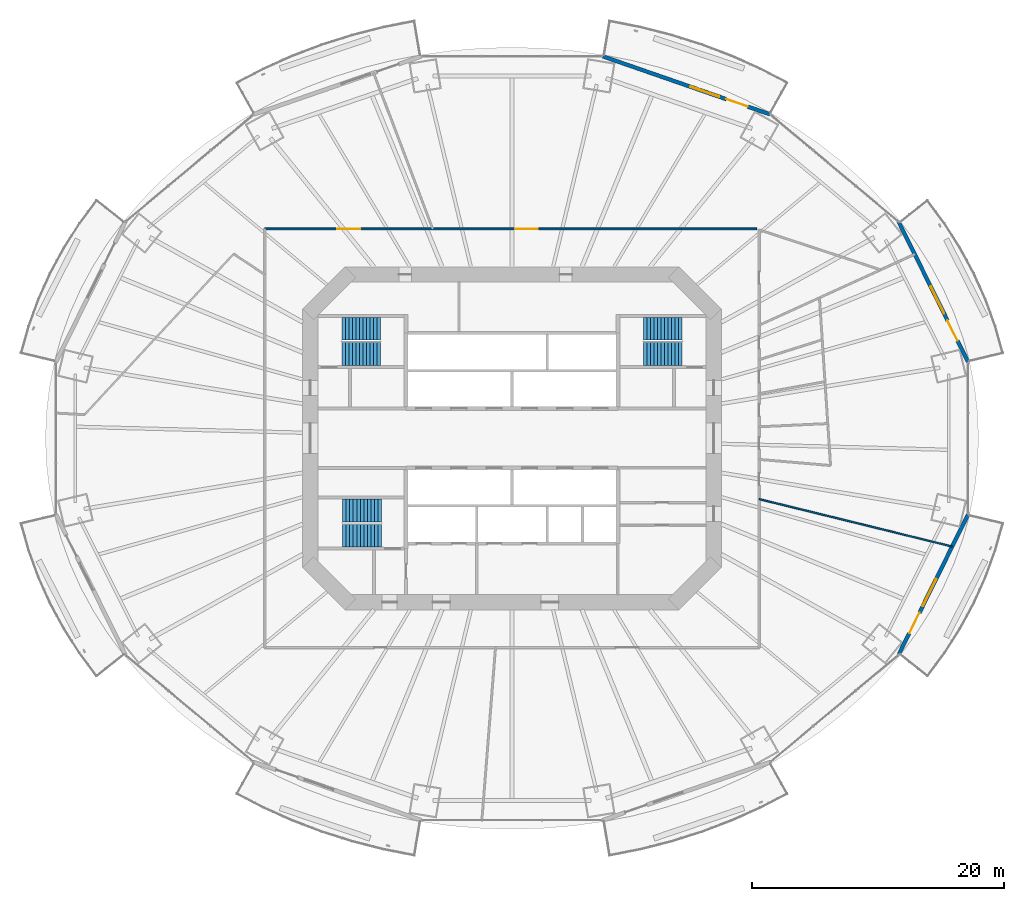
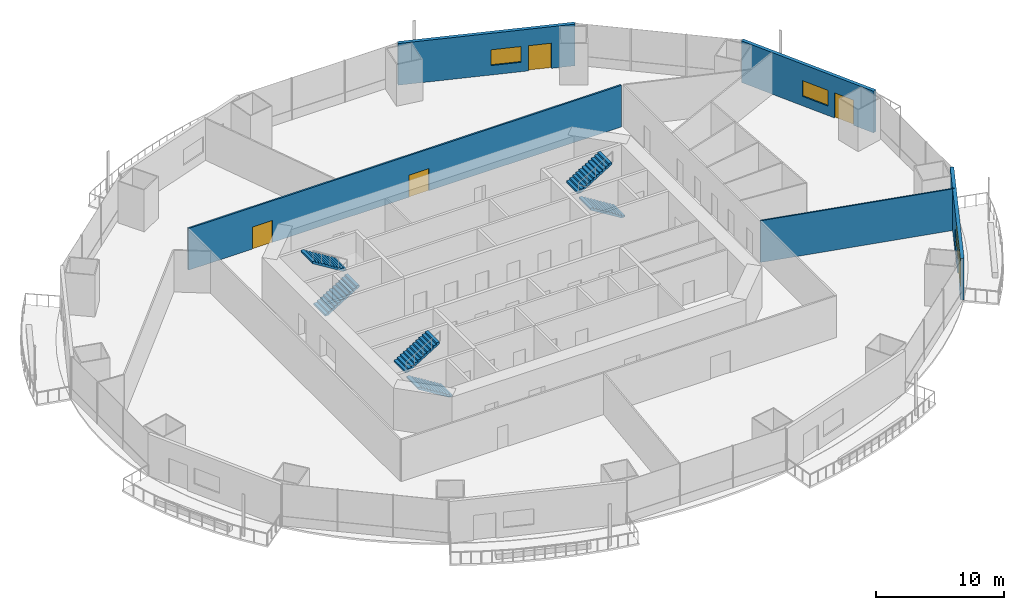
# One storey, part 17 of 23: 6 stair flights, 5 doors, 5 walls, 3 windows, 8 openings, 3 elements without a shape of their own.
"""IFC4 building model written with IfcOpenShell, lengths in metres."""

from ifc_helpers import new_model, si_unit, direction, frame, frame_2d, origin, place, context, subcontext, project, spatial, polyline, rectangle, outline, extrude, material, layer, layer_set, type_object, element, fill, aggregate, save


model = new_model("IFC4")

# Units and contexts
model_context = context("Model", 3, precision=1e-05, world=origin(), true_north=direction((0.0, 1.0)))
body_context = subcontext(model_context, "Body", "Model", "MODEL_VIEW")
ifc_project = project(units=[si_unit("LENGTHUNIT", "METRE"), si_unit("AREAUNIT", "SQUARE_METRE"), si_unit("VOLUMEUNIT", "CUBIC_METRE"), si_unit("PLANEANGLEUNIT", "RADIAN"), si_unit("MASSUNIT", "GRAM", prefix="KILO")], contexts=[model_context])

# Site, building, storey
site_placement = place(None, origin())
site = spatial("IfcSite", under=ifc_project, at=site_placement, CompositionType="ELEMENT")
building_placement = place(site_placement, origin())
building = spatial("IfcBuilding", under=site, at=building_placement, Name="Marenthal Gate Tower", CompositionType="ELEMENT")
storey_placement = place(building_placement, frame((0.0, 0.0, 41.300048828125)))
storey = spatial("IfcBuildingStorey", under=building, at=storey_placement, Name="L06", CompositionType="ELEMENT", Elevation=41.300048828125)

# Wall
ifc_material_1 = material(Name="Gypsum board on steel studs", Category="steel")
ifc_layer_1 = layer(ifc_material_1, 0.1201171875)
ifc_layer_set_1 = layer_set([ifc_layer_1], Name="Partition 120")
wall_type_1 = type_object("IfcWallType", Name="Partition 120", PredefinedType="PARTITIONING", material=ifc_layer_set_1)
wall_1_placement = place(storey_placement, frame((19.60009765625, -4.822265625, 0.0), z_axis=(0.0, 0.0, 1.0), x_axis=(0.971041534545, -0.238910732678, 0.0)))
element("IfcWall", 1, at=wall_1_placement, inside=storey, type_object=wall_type_1, Name="Partition wall 55", PredefinedType="PARTITIONING", context=body_context, shape_type="SweptSolid", body=[
    extrude(rectangle(XDim=15.759521484375, YDim=0.1201171875, at=frame_2d((7.8798828125, 0.0))), origin(), (0.0, 0.0, 1.0), 3.969970703125),
])

# Wall, openings, doors
ifc_material_2 = material(Name="Gypsum board on steel studs", Category="steel")
ifc_layer_2 = layer(ifc_material_2, 0.14990234375)
ifc_layer_set_2 = layer_set([ifc_layer_2], Name="Partition 150")
wall_type_2 = type_object("IfcWallType", Name="Partition 150", PredefinedType="PARTITIONING", material=ifc_layer_set_2)
wall_2_placement = place(storey_placement, frame((-19.60009765625, 16.60009765625, 0.0), z_axis=(0.0, 0.0, 1.0), x_axis=(1.0, 0.0, 0.0)))
wall_2 = element("IfcWall", 2, at=wall_2_placement, inside=storey, type_object=wall_type_2, Name="Partition wall 51", PredefinedType="PARTITIONING", context=body_context, shape_type="SweptSolid", body=[
    extrude(rectangle(XDim=38.995849609375, YDim=0.14990234375, at=frame_2d((19.498046875, 0.0))), origin(), (0.0, 0.0, 1.0), 3.969970703125),
])
opening_1_placement = place(wall_2_placement, frame((19.85693359375, 0.0, 0.0)))
opening_1 = element("IfcOpeningElement", 3, at=opening_1_placement, cuts=wall_2, Name="Opening D014.01", PredefinedType="OPENING", context=body_context, shape_type="SweptSolid", body=[
    extrude(rectangle(XDim=1.800048828125, YDim=2.10009765625, at=frame_2d((0.89990234375, 1.050048828125))), frame((0.0, 0.0849609375, 0.0), z_axis=(0.0, -1.0, 0.0), x_axis=(1.0, 0.0, 0.0)), (0.0, 0.0, 1.0), 0.169921875),
])
opening_2_placement = place(wall_2_placement, frame((5.757080078125, 0.0, 0.0)))
opening_2 = element("IfcOpeningElement", 4, at=opening_2_placement, cuts=wall_2, Name="Opening D014.02", PredefinedType="OPENING", context=body_context, shape_type="SweptSolid", body=[
    extrude(rectangle(XDim=1.800048828125, YDim=2.10009765625, at=frame_2d((0.89990234375, 1.050048828125))), frame((0.0, 0.0849609375, 0.0), z_axis=(0.0, -1.0, 0.0), x_axis=(1.0, 0.0, 0.0)), (0.0, 0.0, 1.0), 0.169921875),
])
ifc_material_3 = material(Name="Timber door", Category="wood")
door_type_1 = type_object("IfcDoorType", Name="Double door 1800 x 2100", OperationType="DOUBLE_DOOR_SINGLE_SWING", PredefinedType="DOOR", material=ifc_material_3)
door_1_placement = place(opening_1_placement, origin())
door_1 = element("IfcDoor", 5, at=door_1_placement, inside=storey, type_object=door_type_1, Name="Door D014.01", OperationType="DOUBLE_DOOR_SINGLE_SWING", OverallHeight=2.10009765625, OverallWidth=1.800048828125, PredefinedType="DOOR", context=body_context, shape_type="SweptSolid", body=[
    extrude(rectangle(XDim=1.800048828125, YDim=2.10009765625, at=frame_2d((0.89990234375, 1.050048828125))), frame((0.0, 0.02490234375, 0.0), z_axis=(0.0, -1.0, 0.0), x_axis=(1.0, 0.0, 0.0)), (0.0, 0.0, 1.0), 0.050048828125),
])
fill(opening_1, door_1)
door_2_placement = place(opening_2_placement, origin())
door_2 = element("IfcDoor", 6, at=door_2_placement, inside=storey, type_object=door_type_1, Name="Door D014.02", OperationType="DOUBLE_DOOR_SINGLE_SWING", OverallHeight=2.10009765625, OverallWidth=1.800048828125, PredefinedType="DOOR", context=body_context, shape_type="SweptSolid", body=[
    extrude(rectangle(XDim=1.800048828125, YDim=2.10009765625, at=frame_2d((0.89990234375, 1.050048828125))), frame((0.0, 0.02490234375, 0.0), z_axis=(0.0, -1.0, 0.0), x_axis=(1.0, 0.0, 0.0)), (0.0, 0.0, 1.0), 0.050048828125),
])
fill(opening_2, door_2)

# Wall, openings, door, window
ifc_material_4 = material(Name="Terracotta cladding on insulated concrete-block backing", Category="masonry")
ifc_layer_3 = layer(ifc_material_4, 0.300048828125)
ifc_layer_set_3 = layer_set([ifc_layer_3], Name="Terracotta facade wall 300")
wall_type_3 = type_object("IfcWallType", Name="Terracotta facade wall 300", PredefinedType="SOLIDWALL", material=ifc_layer_set_3)
wall_3_placement = place(storey_placement, frame((36.17138671875, 6.0244140625, 0.0), z_axis=(0.0, 0.0, 1.0), x_axis=(-0.443411588907, 0.896318114747, 0.0)))
wall_3 = element("IfcWall", 7, at=wall_3_placement, inside=storey, type_object=wall_type_3, Name="Terracotta facade wall L06 bay 1", PredefinedType="SOLIDWALL", context=body_context, shape_type="SweptSolid", body=[
    extrude(rectangle(XDim=12.419189453125, YDim=0.300048828125, at=frame_2d((6.20947265625, 0.0))), origin(), (0.0, 0.0, 1.0), 3.969970703125),
])
opening_3_placement = place(wall_3_placement, frame((1.89990234375, 0.0, 0.0)))
opening_3 = element("IfcOpeningElement", 8, at=opening_3_placement, cuts=wall_3, Name="Opening BD-L06-01", PredefinedType="OPENING", context=body_context, shape_type="SweptSolid", body=[
    extrude(rectangle(XDim=1.800048828125, YDim=2.39990234375, at=frame_2d((0.89990234375, 1.199951171875))), frame((0.0, 0.16015625, 0.0), z_axis=(0.0, -1.0, 0.0), x_axis=(1.0, 0.0, 0.0)), (0.0, 0.0, 1.0), 0.320068359375),
])
opening_4_placement = place(wall_3_placement, frame((4.300048828125, 0.0, 0.89990234375)))
opening_4 = element("IfcOpeningElement", 9, at=opening_4_placement, cuts=wall_3, Name="Opening WN1-L06-01", PredefinedType="OPENING", context=body_context, shape_type="SweptSolid", body=[
    extrude(rectangle(XDim=2.39990234375, YDim=1.5, at=frame_2d((1.199951171875, 0.75))), frame((0.0, 0.16015625, 0.0), z_axis=(0.0, -1.0, 0.0), x_axis=(1.0, 0.0, 0.0)), (0.0, 0.0, 1.0), 0.320068359375),
])
ifc_material_5 = material(Name="Aluminium and glass", Category="aluminium")
door_type_2 = type_object("IfcDoorType", Name="Balcony door 1800x2400", OperationType="DOUBLE_DOOR_SINGLE_SWING", PredefinedType="DOOR", material=ifc_material_5)
door_3_placement = place(opening_3_placement, origin())
door_3 = element("IfcDoor", 10, at=door_3_placement, inside=storey, type_object=door_type_2, Name="Balcony door L06 bay 1", OperationType="SINGLE_SWING_LEFT", OverallHeight=2.39990234375, OverallWidth=1.800048828125, PredefinedType="DOOR", context=body_context, shape_type="SweptSolid", body=[
    extrude(rectangle(XDim=1.800048828125, YDim=2.39990234375, at=frame_2d((0.89990234375, 1.199951171875))), frame((0.0, 0.02490234375, 0.0), z_axis=(0.0, -1.0, 0.0), x_axis=(1.0, 0.0, 0.0)), (0.0, 0.0, 1.0), 0.050048828125),
])
fill(opening_3, door_3)
ifc_material_6 = material(Name="Aluminium and glass", Category="aluminium")
window_type = type_object("IfcWindowType", Name="Window 2400x1500", PartitioningType="TRIPLE_PANEL_VERTICAL", PredefinedType="WINDOW", material=ifc_material_6)
window_1_placement = place(opening_4_placement, origin())
window_1 = element("IfcWindow", 11, at=window_1_placement, inside=storey, type_object=window_type, Name="Window L06 bay 1", OverallHeight=1.5, OverallWidth=2.39990234375, PartitioningType="SINGLE_PANEL", PredefinedType="WINDOW", context=body_context, shape_type="SweptSolid", body=[
    extrude(rectangle(XDim=2.39990234375, YDim=1.5, at=frame_2d((1.199951171875, 0.75))), frame((0.0, 0.030029296875, 0.0), z_axis=(0.0, -1.0, 0.0), x_axis=(1.0, 0.0, 0.0)), (0.0, 0.0, 1.0), 0.06005859375),
])
fill(opening_4, window_1)

wall_4_placement = place(storey_placement, frame((20.489501953125, 25.67578125, 0.0), z_axis=(0.0, 0.0, 1.0), x_axis=(-0.944791803015, 0.327671251341, 0.0)))
wall_4 = element("IfcWall", 12, at=wall_4_placement, inside=storey, type_object=wall_type_3, Name="Terracotta facade wall L06 bay 3", PredefinedType="SOLIDWALL", context=body_context, shape_type="SweptSolid", body=[
    extrude(rectangle(XDim=14.071533203125, YDim=0.300048828125, at=frame_2d((7.03564453125, 0.0))), origin(), (0.0, 0.0, 1.0), 3.969970703125),
])
opening_5_placement = place(wall_4_placement, frame((1.89990234375, 0.0, 0.0)))
opening_5 = element("IfcOpeningElement", 13, at=opening_5_placement, cuts=wall_4, Name="Opening BD-L06-03", PredefinedType="OPENING", context=body_context, shape_type="SweptSolid", body=[
    extrude(rectangle(XDim=1.800048828125, YDim=2.39990234375, at=frame_2d((0.89990234375, 1.199951171875))), frame((0.0, 0.16015625, 0.0), z_axis=(0.0, -1.0, 0.0), x_axis=(1.0, 0.0, 0.0)), (0.0, 0.0, 1.0), 0.320068359375),
])
opening_6_placement = place(wall_4_placement, frame((4.300048828125, 0.0, 0.89990234375)))
opening_6 = element("IfcOpeningElement", 14, at=opening_6_placement, cuts=wall_4, Name="Opening WN1-L06-03", PredefinedType="OPENING", context=body_context, shape_type="SweptSolid", body=[
    extrude(rectangle(XDim=2.39990234375, YDim=1.5, at=frame_2d((1.199951171875, 0.75))), frame((0.0, 0.16015625, 0.0), z_axis=(0.0, -1.0, 0.0), x_axis=(1.0, 0.0, 0.0)), (0.0, 0.0, 1.0), 0.320068359375),
])
door_4_placement = place(opening_5_placement, origin())
door_4 = element("IfcDoor", 15, at=door_4_placement, inside=storey, type_object=door_type_2, Name="Balcony door L06 bay 3", OperationType="SINGLE_SWING_LEFT", OverallHeight=2.39990234375, OverallWidth=1.800048828125, PredefinedType="DOOR", context=body_context, shape_type="SweptSolid", body=[
    extrude(rectangle(XDim=1.800048828125, YDim=2.39990234375, at=frame_2d((0.89990234375, 1.199951171875))), frame((0.0, 0.02490234375, 0.0), z_axis=(0.0, -1.0, 0.0), x_axis=(1.0, 0.0, 0.0)), (0.0, 0.0, 1.0), 0.050048828125),
])
fill(opening_5, door_4)
window_2_placement = place(opening_6_placement, origin())
window_2 = element("IfcWindow", 16, at=window_2_placement, inside=storey, type_object=window_type, Name="Window L06 bay 3", OverallHeight=1.5, OverallWidth=2.39990234375, PartitioningType="SINGLE_PANEL", PredefinedType="WINDOW", context=body_context, shape_type="SweptSolid", body=[
    extrude(rectangle(XDim=2.39990234375, YDim=1.5, at=frame_2d((1.199951171875, 0.75))), frame((0.0, 0.030029296875, 0.0), z_axis=(0.0, -1.0, 0.0), x_axis=(1.0, 0.0, 0.0)), (0.0, 0.0, 1.0), 0.06005859375),
])
fill(opening_6, window_2)

wall_5_placement = place(storey_placement, frame((30.66455078125, -17.156005859375, 0.0), z_axis=(0.0, 0.0, 1.0), x_axis=(0.443411588907, 0.896318114747, 0.0)))
wall_5 = element("IfcWall", 17, at=wall_5_placement, inside=storey, type_object=wall_type_3, Name="Terracotta facade wall L06 bay 15", PredefinedType="SOLIDWALL", context=body_context, shape_type="SweptSolid", body=[
    extrude(rectangle(XDim=12.419189453125, YDim=0.300048828125, at=frame_2d((6.20947265625, 0.0))), origin(), (0.0, 0.0, 1.0), 3.969970703125),
])
opening_7_placement = place(wall_5_placement, frame((1.89990234375, 0.0, 0.0)))
opening_7 = element("IfcOpeningElement", 18, at=opening_7_placement, cuts=wall_5, Name="Opening BD-L06-15", PredefinedType="OPENING", context=body_context, shape_type="SweptSolid", body=[
    extrude(rectangle(XDim=1.800048828125, YDim=2.39990234375, at=frame_2d((0.89990234375, 1.199951171875))), frame((0.0, 0.16015625, 0.0), z_axis=(0.0, -1.0, 0.0), x_axis=(1.0, 0.0, 0.0)), (0.0, 0.0, 1.0), 0.320068359375),
])
opening_8_placement = place(wall_5_placement, frame((4.300048828125, 0.0, 0.89990234375)))
opening_8 = element("IfcOpeningElement", 19, at=opening_8_placement, cuts=wall_5, Name="Opening WN1-L06-15", PredefinedType="OPENING", context=body_context, shape_type="SweptSolid", body=[
    extrude(rectangle(XDim=2.39990234375, YDim=1.5, at=frame_2d((1.199951171875, 0.75))), frame((0.0, 0.16015625, 0.0), z_axis=(0.0, -1.0, 0.0), x_axis=(1.0, 0.0, 0.0)), (0.0, 0.0, 1.0), 0.320068359375),
])
door_5_placement = place(opening_7_placement, origin())
door_5 = element("IfcDoor", 20, at=door_5_placement, inside=storey, type_object=door_type_2, Name="Balcony door L06 bay 15", OperationType="SINGLE_SWING_LEFT", OverallHeight=2.39990234375, OverallWidth=1.800048828125, PredefinedType="DOOR", context=body_context, shape_type="SweptSolid", body=[
    extrude(rectangle(XDim=1.800048828125, YDim=2.39990234375, at=frame_2d((0.89990234375, 1.199951171875))), frame((0.0, 0.02490234375, 0.0), z_axis=(0.0, -1.0, 0.0), x_axis=(1.0, 0.0, 0.0)), (0.0, 0.0, 1.0), 0.050048828125),
])
fill(opening_7, door_5)
window_3_placement = place(opening_8_placement, origin())
window_3 = element("IfcWindow", 21, at=window_3_placement, inside=storey, type_object=window_type, Name="Window L06 bay 15", OverallHeight=1.5, OverallWidth=2.39990234375, PartitioningType="SINGLE_PANEL", PredefinedType="WINDOW", context=body_context, shape_type="SweptSolid", body=[
    extrude(rectangle(XDim=2.39990234375, YDim=1.5, at=frame_2d((1.199951171875, 0.75))), frame((0.0, 0.030029296875, 0.0), z_axis=(0.0, -1.0, 0.0), x_axis=(1.0, 0.0, 0.0)), (0.0, 0.0, 1.0), 0.06005859375),
])
fill(opening_8, window_3)

# Stair, stair flights
ifc_material_7 = material(Name="Concrete 40 MPa", Category="concrete")
stair_type = type_object("IfcStairType", Name="Exit stair 1800", PredefinedType="HALF_TURN_STAIR", material=ifc_material_7)
stair_1_placement = place(storey_placement, origin())
stair_1 = element("IfcStair", 22, at=stair_1_placement, inside=storey, type_object=stair_type, Name="Stair ST1", PredefinedType="HALF_TURN_STAIR")
ifc_material_8 = material(Name="Concrete 40 MPa", Category="concrete")
stair_flight_type = type_object("IfcStairFlightType", Name="Stair flight 1800", PredefinedType="STRAIGHT", material=ifc_material_8)
stair_flight_1_placement = place(storey_placement, frame((-13.5, 6.675048828125, 0.0), z_axis=(0.0, 0.0, 1.0), x_axis=(1.0, 0.0, 0.0)))
stair_flight_1 = element("IfcStairFlight", 23, at=stair_flight_1_placement, type_object=stair_flight_type, Name="ST1 flight 1", NumberOfRisers=12, NumberOfTreads=11, PredefinedType="STRAIGHT", RiserHeight=0.172916667, TreadLength=0.28, context=body_context, shape_type="SweptSolid", body=[
    extrude(outline(polyline([(0.0, 0.0), (0.0, 0.1728515625), (0.280029296875, 0.1728515625), (0.280029296875, 0.345947265625), (0.56005859375, 0.345947265625), (0.56005859375, 0.518798828125), (0.840087890625, 0.518798828125), (0.840087890625, 0.691650390625), (1.1201171875, 0.691650390625), (1.1201171875, 0.864501953125), (1.39990234375, 0.864501953125), (1.39990234375, 1.03759765625), (1.679931640625, 1.03759765625), (1.679931640625, 1.21044921875), (1.9599609375, 1.21044921875), (1.9599609375, 1.38330078125), (2.239990234375, 1.38330078125), (2.239990234375, 1.55615234375), (2.52001953125, 1.55615234375), (2.52001953125, 1.729248046875), (2.800048828125, 1.729248046875), (2.800048828125, 1.902099609375), (3.080078125, 1.902099609375), (3.080078125, 2.074951171875), (3.080078125, 1.725830078125), (0.285400390625, 0.0), (0.0, 0.0)])), frame((0.0, 0.89990234375, 0.0), z_axis=(0.0, -1.0, 0.0), x_axis=(1.0, 0.0, 0.0)), (0.0, 0.0, 1.0), 1.800048828125),
])
stair_flight_2_placement = place(storey_placement, frame((-10.419921875, 8.675048828125, 2.074951171875), z_axis=(0.0, 0.0, 1.0), x_axis=(-1.0, 0.0, 0.0)))
stair_flight_2 = element("IfcStairFlight", 24, at=stair_flight_2_placement, type_object=stair_flight_type, Name="ST1 flight 2", NumberOfRisers=12, NumberOfTreads=11, PredefinedType="STRAIGHT", RiserHeight=0.172916667, TreadLength=0.28, context=body_context, shape_type="SweptSolid", body=[
    extrude(outline(polyline([(0.0, 0.0), (0.0, 0.1728515625), (0.280029296875, 0.1728515625), (0.280029296875, 0.345947265625), (0.56005859375, 0.345947265625), (0.56005859375, 0.518798828125), (0.840087890625, 0.518798828125), (0.840087890625, 0.691650390625), (1.1201171875, 0.691650390625), (1.1201171875, 0.864501953125), (1.39990234375, 0.864501953125), (1.39990234375, 1.03759765625), (1.679931640625, 1.03759765625), (1.679931640625, 1.21044921875), (1.9599609375, 1.21044921875), (1.9599609375, 1.38330078125), (2.239990234375, 1.38330078125), (2.239990234375, 1.55615234375), (2.52001953125, 1.55615234375), (2.52001953125, 1.729248046875), (2.800048828125, 1.729248046875), (2.800048828125, 1.902099609375), (3.080078125, 1.902099609375), (3.080078125, 2.074951171875), (3.080078125, 1.725830078125), (0.285400390625, 0.0), (0.0, 0.0)])), frame((0.0, 0.89990234375, 0.0), z_axis=(0.0, -1.0, 0.0), x_axis=(1.0, 0.0, 0.0)), (0.0, 0.0, 1.0), 1.800048828125),
])
aggregate(stair_1, [stair_flight_1, stair_flight_2])

stair_2_placement = place(storey_placement, origin())
stair_2 = element("IfcStair", 25, at=stair_2_placement, inside=storey, type_object=stair_type, Name="Stair ST2", PredefinedType="HALF_TURN_STAIR")
stair_flight_3_placement = place(storey_placement, frame((-10.35009765625, -7.72509765625, 0.0), z_axis=(0.0, 0.0, 1.0), x_axis=(-1.0, 0.0, 0.0)))
stair_flight_3 = element("IfcStairFlight", 26, at=stair_flight_3_placement, type_object=stair_flight_type, Name="ST2 flight 1", NumberOfRisers=12, NumberOfTreads=11, PredefinedType="STRAIGHT", RiserHeight=0.172916667, TreadLength=0.28, context=body_context, shape_type="SweptSolid", body=[
    extrude(outline(polyline([(0.0, 0.0), (0.0, 0.1728515625), (0.280029296875, 0.1728515625), (0.280029296875, 0.345947265625), (0.56005859375, 0.345947265625), (0.56005859375, 0.518798828125), (0.840087890625, 0.518798828125), (0.840087890625, 0.691650390625), (1.1201171875, 0.691650390625), (1.1201171875, 0.864501953125), (1.39990234375, 0.864501953125), (1.39990234375, 1.03759765625), (1.679931640625, 1.03759765625), (1.679931640625, 1.21044921875), (1.9599609375, 1.21044921875), (1.9599609375, 1.38330078125), (2.239990234375, 1.38330078125), (2.239990234375, 1.55615234375), (2.52001953125, 1.55615234375), (2.52001953125, 1.729248046875), (2.800048828125, 1.729248046875), (2.800048828125, 1.902099609375), (3.080078125, 1.902099609375), (3.080078125, 2.074951171875), (3.080078125, 1.725830078125), (0.285400390625, 0.0), (0.0, 0.0)])), frame((0.0, 0.89990234375, 0.0), z_axis=(0.0, -1.0, 0.0), x_axis=(1.0, 0.0, 0.0)), (0.0, 0.0, 1.0), 1.800048828125),
])
stair_flight_4_placement = place(storey_placement, frame((-13.429931640625, -5.72509765625, 2.074951171875), z_axis=(0.0, 0.0, 1.0), x_axis=(1.0, 0.0, 0.0)))
stair_flight_4 = element("IfcStairFlight", 27, at=stair_flight_4_placement, type_object=stair_flight_type, Name="ST2 flight 2", NumberOfRisers=12, NumberOfTreads=11, PredefinedType="STRAIGHT", RiserHeight=0.172916667, TreadLength=0.28, context=body_context, shape_type="SweptSolid", body=[
    extrude(outline(polyline([(0.0, 0.0), (0.0, 0.1728515625), (0.280029296875, 0.1728515625), (0.280029296875, 0.345947265625), (0.56005859375, 0.345947265625), (0.56005859375, 0.518798828125), (0.840087890625, 0.518798828125), (0.840087890625, 0.691650390625), (1.1201171875, 0.691650390625), (1.1201171875, 0.864501953125), (1.39990234375, 0.864501953125), (1.39990234375, 1.03759765625), (1.679931640625, 1.03759765625), (1.679931640625, 1.21044921875), (1.9599609375, 1.21044921875), (1.9599609375, 1.38330078125), (2.239990234375, 1.38330078125), (2.239990234375, 1.55615234375), (2.52001953125, 1.55615234375), (2.52001953125, 1.729248046875), (2.800048828125, 1.729248046875), (2.800048828125, 1.902099609375), (3.080078125, 1.902099609375), (3.080078125, 2.074951171875), (3.080078125, 1.725830078125), (0.285400390625, 0.0), (0.0, 0.0)])), frame((0.0, 0.89990234375, 0.0), z_axis=(0.0, -1.0, 0.0), x_axis=(1.0, 0.0, 0.0)), (0.0, 0.0, 1.0), 1.800048828125),
])
aggregate(stair_2, [stair_flight_3, stair_flight_4])

stair_3_placement = place(storey_placement, origin())
stair_3 = element("IfcStair", 28, at=stair_3_placement, inside=storey, type_object=stair_type, Name="Stair ST3", PredefinedType="HALF_TURN_STAIR")
stair_flight_5_placement = place(storey_placement, frame((13.5, 6.675048828125, 0.0), z_axis=(0.0, 0.0, 1.0), x_axis=(-1.0, 0.0, 0.0)))
stair_flight_5 = element("IfcStairFlight", 29, at=stair_flight_5_placement, type_object=stair_flight_type, Name="ST3 flight 1", NumberOfRisers=12, NumberOfTreads=11, PredefinedType="STRAIGHT", RiserHeight=0.172916667, TreadLength=0.28, context=body_context, shape_type="SweptSolid", body=[
    extrude(outline(polyline([(0.0, 0.0), (0.0, 0.1728515625), (0.280029296875, 0.1728515625), (0.280029296875, 0.345947265625), (0.56005859375, 0.345947265625), (0.56005859375, 0.518798828125), (0.840087890625, 0.518798828125), (0.840087890625, 0.691650390625), (1.1201171875, 0.691650390625), (1.1201171875, 0.864501953125), (1.39990234375, 0.864501953125), (1.39990234375, 1.03759765625), (1.679931640625, 1.03759765625), (1.679931640625, 1.21044921875), (1.9599609375, 1.21044921875), (1.9599609375, 1.38330078125), (2.239990234375, 1.38330078125), (2.239990234375, 1.55615234375), (2.52001953125, 1.55615234375), (2.52001953125, 1.729248046875), (2.800048828125, 1.729248046875), (2.800048828125, 1.902099609375), (3.080078125, 1.902099609375), (3.080078125, 2.074951171875), (3.080078125, 1.725830078125), (0.285400390625, 0.0), (0.0, 0.0)])), frame((0.0, 0.89990234375, 0.0), z_axis=(0.0, -1.0, 0.0), x_axis=(1.0, 0.0, 0.0)), (0.0, 0.0, 1.0), 1.800048828125),
])
stair_flight_6_placement = place(storey_placement, frame((10.419921875, 8.675048828125, 2.074951171875), z_axis=(0.0, 0.0, 1.0), x_axis=(1.0, 0.0, 0.0)))
stair_flight_6 = element("IfcStairFlight", 30, at=stair_flight_6_placement, type_object=stair_flight_type, Name="ST3 flight 2", NumberOfRisers=12, NumberOfTreads=11, PredefinedType="STRAIGHT", RiserHeight=0.172916667, TreadLength=0.28, context=body_context, shape_type="SweptSolid", body=[
    extrude(outline(polyline([(0.0, 0.0), (0.0, 0.1728515625), (0.280029296875, 0.1728515625), (0.280029296875, 0.345947265625), (0.56005859375, 0.345947265625), (0.56005859375, 0.518798828125), (0.840087890625, 0.518798828125), (0.840087890625, 0.691650390625), (1.1201171875, 0.691650390625), (1.1201171875, 0.864501953125), (1.39990234375, 0.864501953125), (1.39990234375, 1.03759765625), (1.679931640625, 1.03759765625), (1.679931640625, 1.21044921875), (1.9599609375, 1.21044921875), (1.9599609375, 1.38330078125), (2.239990234375, 1.38330078125), (2.239990234375, 1.55615234375), (2.52001953125, 1.55615234375), (2.52001953125, 1.729248046875), (2.800048828125, 1.729248046875), (2.800048828125, 1.902099609375), (3.080078125, 1.902099609375), (3.080078125, 2.074951171875), (3.080078125, 1.725830078125), (0.285400390625, 0.0), (0.0, 0.0)])), frame((0.0, 0.89990234375, 0.0), z_axis=(0.0, -1.0, 0.0), x_axis=(1.0, 0.0, 0.0)), (0.0, 0.0, 1.0), 1.800048828125),
])
aggregate(stair_3, [stair_flight_5, stair_flight_6])

save(model, "model.ifc")
